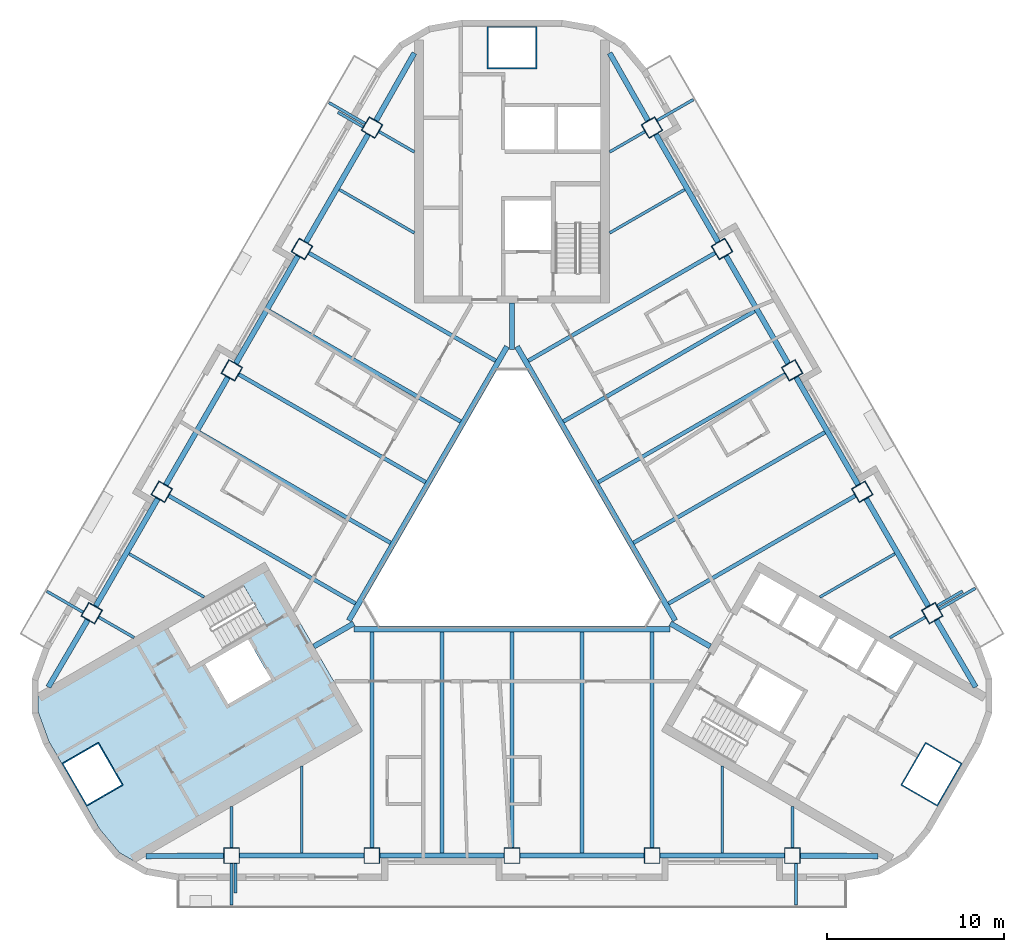
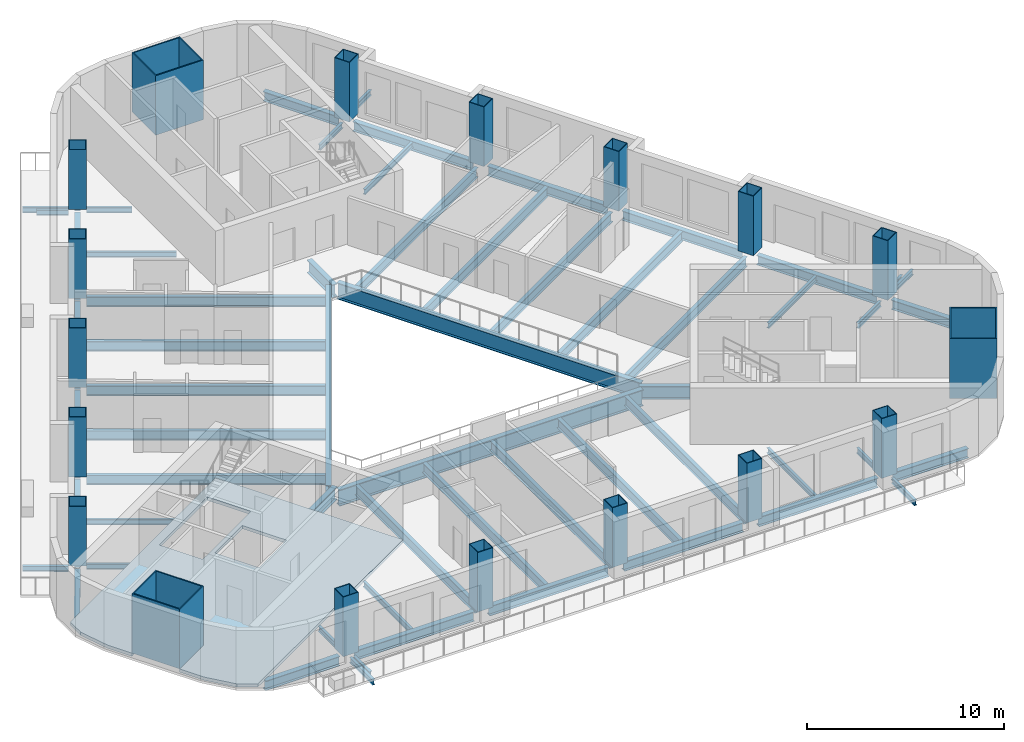
# One storey, part 1 of 13: 60 beams, 18 columns, 1 slab.
"""IFC4 building model written with IfcOpenShell, lengths in metres."""

from ifc_helpers import new_model, si_unit, direction, frame, origin, origin_2d, place, context, subcontext, project, spatial, polyline, rectangle, hollow_rectangle, i_section, outline, extrude, material, layer, layer_set, material_profile, profile_set, type_object, element, save


model = new_model("IFC4")

# Units and contexts
model_context = context("Model", 3, precision=1e-05, world=origin(), true_north=direction((0.0, 1.0)))
body_context = subcontext(model_context, "Body", "Model", "MODEL_VIEW")
ifc_project = project(units=[si_unit("LENGTHUNIT", "METRE"), si_unit("AREAUNIT", "SQUARE_METRE"), si_unit("VOLUMEUNIT", "CUBIC_METRE"), si_unit("PLANEANGLEUNIT", "RADIAN"), si_unit("MASSUNIT", "GRAM", prefix="KILO")], contexts=[model_context])

# Site, building, storey
site_placement = place(None, origin())
site = spatial("IfcSite", under=ifc_project, at=site_placement, CompositionType="ELEMENT")
building_placement = place(site_placement, origin())
building = spatial("IfcBuilding", under=site, at=building_placement, Name="Apuvela Tower Hotel", CompositionType="ELEMENT")
storey_placement = place(building_placement, frame((0.0, 0.0, 102.0)))
storey = spatial("IfcBuildingStorey", under=building, at=storey_placement, Name="L23", CompositionType="ELEMENT", Elevation=102.0)

# Columns
ifc_material_1 = material(Name="Steel S460", Category="steel")
ifc_material_profile_1 = material_profile(ifc_material_1, hollow_rectangle(XDim=2.800048828125, YDim=2.39990234375, WallThickness=0.070068359375, at=origin_2d()), Name="BOX 2800x2400x70")
ifc_material_2 = material(Name="Concrete C80/95", Category="concrete")
ifc_material_profile_2 = material_profile(ifc_material_2, rectangle(XDim=2.659912109375, YDim=2.260009765625, at=origin_2d()), Name="Concrete C80/95 infill")
ifc_profile_set_1 = profile_set([ifc_material_profile_1, ifc_material_profile_2], Name="Steel S460")
column_type_1 = type_object("IfcColumnType", Name="STR-MC mega column BOX 2800x2400x70", PredefinedType="COLUMN", material=ifc_profile_set_1)
for number, where, z_axis, x_axis, name in (
    (1, (0.0, 27.300048828125, 0.0), (0.0, 0.0, 1.0), (1.0, 0.0, 0.0), "Mega column MC2 N"),
    (2, (-23.642578125, -13.64990234375, 0.0), (0.0, 0.0, 1.0), (-0.5, 0.866025403784, 0.0), "Mega column MC2 SW"),
    (3, (23.642578125, -13.64990234375, 0.0), (0.0, 0.0, 1.0), (0.5, 0.866025403784, 0.0), "Mega column MC2 SE"),
):
    element("IfcColumn", number, at=place(storey_placement, frame(where, z_axis=z_axis, x_axis=x_axis)), inside=storey, type_object=column_type_1, Name=name, PredefinedType="COLUMN", context=body_context, shape_type="SweptSolid", body=[
        extrude(hollow_rectangle(XDim=2.800048828125, YDim=2.39990234375, WallThickness=0.070068359375, at=origin_2d()), origin(), (0.0, 0.0, 1.0), 3.699951171875),
    ])
ifc_material_profile_3 = material_profile(ifc_material_1, hollow_rectangle(XDim=0.89990234375, YDim=0.89990234375, WallThickness=0.0400390625, at=origin_2d()), Name="BOX 900x900x40")
ifc_material_profile_4 = material_profile(ifc_material_2, rectangle(XDim=0.820068359375, YDim=0.820068359375, at=origin_2d()), Name="Concrete C80/95 infill")
ifc_profile_set_2 = profile_set([ifc_material_profile_3, ifc_material_profile_4], Name="Steel S460")
column_type_2 = type_object("IfcColumnType", Name="STR-PC perimeter column BOX 900x900x40", PredefinedType="COLUMN", material=ifc_profile_set_2)
for number, where, z_axis, x_axis, name in (
    (4, (-15.800048828125, -18.22998046875, 0.0), (0.0, 0.0, 1.0), (-1.0, 0.0, 0.0), "Perimeter column C3 S1"),
    (5, (-7.89990234375, -18.22998046875, 0.0), (0.0, 0.0, 1.0), (-1.0, 0.0, 0.0), "Perimeter column C3 S2"),
    (6, (0.0, -18.22998046875, 0.0), (0.0, 0.0, 1.0), (-1.0, 0.0, 0.0), "Perimeter column C3 S3"),
    (7, (7.89990234375, -18.22998046875, 0.0), (0.0, 0.0, 1.0), (-1.0, 0.0, 0.0), "Perimeter column C3 S4"),
    (8, (15.800048828125, -18.22998046875, 0.0), (0.0, 0.0, 1.0), (-1.0, 0.0, 0.0), "Perimeter column C3 S5"),
    (9, (23.6875, -4.568115234375, 0.0), (0.0, 0.0, 1.0), (-0.5, 0.866025403784, 0.0), "Perimeter column C3 NE1"),
    (10, (19.737548828125, 2.2734375, 0.0), (0.0, 0.0, 1.0), (-0.5, 0.866025403784, 0.0), "Perimeter column C3 NE2"),
    (11, (15.78759765625, 9.114990234375, 0.0), (0.0, 0.0, 1.0), (-0.5, 0.866025403784, 0.0), "Perimeter column C3 NE3"),
    (12, (11.837646484375, 15.95654296875, 0.0), (0.0, 0.0, 1.0), (-0.5, 0.866025403784, 0.0), "Perimeter column C3 NE4"),
    (13, (7.8876953125, 22.798095703125, 0.0), (0.0, 0.0, 1.0), (-0.5, 0.866025403784, 0.0), "Perimeter column C3 NE5"),
    (14, (-7.8876953125, 22.798095703125, 0.0), (0.0, 0.0, 1.0), (0.5, 0.866025403784, 0.0), "Perimeter column C3 NW1"),
    (15, (-11.837646484375, 15.95654296875, 0.0), (0.0, 0.0, 1.0), (0.5, 0.866025403784, 0.0), "Perimeter column C3 NW2"),
    (16, (-15.78759765625, 9.114990234375, 0.0), (0.0, 0.0, 1.0), (0.5, 0.866025403784, 0.0), "Perimeter column C3 NW3"),
    (17, (-19.737548828125, 2.2734375, 0.0), (0.0, 0.0, 1.0), (0.5, 0.866025403784, 0.0), "Perimeter column C3 NW4"),
    (18, (-23.6875, -4.568115234375, 0.0), (0.0, 0.0, 1.0), (0.5, 0.866025403784, 0.0), "Perimeter column C3 NW5"),
):
    element("IfcColumn", number, at=place(storey_placement, frame(where, z_axis=z_axis, x_axis=x_axis)), inside=storey, type_object=column_type_2, Name=name, PredefinedType="COLUMN", context=body_context, shape_type="SweptSolid", body=[
        extrude(hollow_rectangle(XDim=0.89990234375, YDim=0.89990234375, WallThickness=0.0400390625, at=origin_2d()), origin(), (0.0, 0.0, 1.0), 3.699951171875),
    ])

# Beams
ifc_material_3 = material(Name="Steel S355", Category="steel")
ifc_material_profile_5 = material_profile(ifc_material_3, i_section(OverallWidth=0.159912109375, OverallDepth=0.330078125, WebThickness=0.007568359375, FlangeThickness=0.011474609375, at=origin_2d()), Name="IPE 330")
ifc_profile_set_3 = profile_set([ifc_material_profile_5], Name="Steel S355")
beam_type_1 = type_object("IfcBeamType", Name="ENV-BALCONY-BEAM-IPE330", PredefinedType="BEAM", material=ifc_profile_set_3)
beam_1_placement = place(storey_placement, frame((-15.800048828125, -18.679931640625, -0.31494140625), z_axis=(0.0, -1.0, 0.0), x_axis=(1.0, 0.0, 0.0)))
element("IfcBeam", 19, at=beam_1_placement, inside=storey, type_object=beam_type_1, Name="Balcony cantilever beam S1 L23", PredefinedType="BEAM", context=body_context, shape_type="SweptSolid", body=[
    extrude(i_section(OverallWidth=0.159912109375, OverallDepth=0.330078125, WebThickness=0.007568359375, FlangeThickness=0.011474609375, at=origin_2d()), origin(), (0.0, 0.0, 1.0), 2.35009765625),
])
beam_2_placement = place(storey_placement, frame((-15.580078125, -18.679931640625, -0.31494140625), z_axis=(0.0, -1.0, 0.0), x_axis=(1.0, 0.0, 0.0)))
element("IfcBeam", 20, at=beam_2_placement, inside=storey, type_object=beam_type_1, Name="Balcony cantilever beam S2 L23", PredefinedType="BEAM", context=body_context, shape_type="SweptSolid", body=[
    extrude(i_section(OverallWidth=0.159912109375, OverallDepth=0.330078125, WebThickness=0.007568359375, FlangeThickness=0.011474609375, at=origin_2d()), origin(), (0.0, 0.0, 1.0), 1.650146484375),
])
for number, where, z_axis, x_axis, name in (
    (21, (16.0, -18.679931640625, -0.31494140625), (0.0, -1.0, 0.0), (1.0, 0.0, 0.0), "Balcony cantilever beam S3 L23"),
    (22, (24.077392578125, -4.34326171875, -0.31494140625), (0.866016039709, 0.500016218704, 0.0), (-0.500016218704, 0.866016039709, 0.0), "Balcony cantilever beam NE1 L23"),
):
    element("IfcBeam", number, at=place(storey_placement, frame(where, z_axis=z_axis, x_axis=x_axis)), inside=storey, type_object=beam_type_1, Name=name, PredefinedType="BEAM", context=body_context, shape_type="SweptSolid", body=[
        extrude(i_section(OverallWidth=0.159912109375, OverallDepth=0.330078125, WebThickness=0.007568359375, FlangeThickness=0.011474609375, at=origin_2d()), origin(), (0.0, 0.0, 1.0), 2.35009765625),
    ])
beam_3_placement = place(storey_placement, frame((23.96728515625, -4.152587890625, -0.31494140625), z_axis=(0.866040211805, 0.499974350878, 0.0), x_axis=(-0.499974350878, 0.866040211805, 0.0)))
element("IfcBeam", 23, at=beam_3_placement, inside=storey, type_object=beam_type_1, Name="Balcony cantilever beam NE2 L23", PredefinedType="BEAM", context=body_context, shape_type="SweptSolid", body=[
    extrude(i_section(OverallWidth=0.159912109375, OverallDepth=0.330078125, WebThickness=0.007568359375, FlangeThickness=0.011474609375, at=origin_2d()), origin(), (0.0, 0.0, 1.0), 1.64990234375),
])
beam_4_placement = place(storey_placement, frame((8.177490234375, 23.1962890625, -0.31494140625), z_axis=(0.865990062348, 0.500061208168, 0.0), x_axis=(-0.500061208168, 0.865990062348, 0.0)))
element("IfcBeam", 24, at=beam_4_placement, inside=storey, type_object=beam_type_1, Name="Balcony cantilever beam NE3 L23", PredefinedType="BEAM", context=body_context, shape_type="SweptSolid", body=[
    extrude(i_section(OverallWidth=0.159912109375, OverallDepth=0.330078125, WebThickness=0.007568359375, FlangeThickness=0.011474609375, at=origin_2d()), origin(), (0.0, 0.0, 1.0), 2.349853515625),
])
beam_5_placement = place(storey_placement, frame((-8.27734375, 23.023193359375, -0.31494140625), z_axis=(-0.866016039709, 0.500016218704, 0.0), x_axis=(-0.500016218704, -0.866016039709, 0.0)))
element("IfcBeam", 25, at=beam_5_placement, inside=storey, type_object=beam_type_1, Name="Balcony cantilever beam NW1 L23", PredefinedType="BEAM", context=body_context, shape_type="SweptSolid", body=[
    extrude(i_section(OverallWidth=0.159912109375, OverallDepth=0.330078125, WebThickness=0.007568359375, FlangeThickness=0.011474609375, at=origin_2d()), origin(), (0.0, 0.0, 1.0), 2.35009765625),
])
beam_6_placement = place(storey_placement, frame((-8.387451171875, 22.832763671875, -0.31494140625), z_axis=(-0.866040211805, 0.499974350878, 0.0), x_axis=(-0.499974350878, -0.866040211805, 0.0)))
element("IfcBeam", 26, at=beam_6_placement, inside=storey, type_object=beam_type_1, Name="Balcony cantilever beam NW2 L23", PredefinedType="BEAM", context=body_context, shape_type="SweptSolid", body=[
    extrude(i_section(OverallWidth=0.159912109375, OverallDepth=0.330078125, WebThickness=0.007568359375, FlangeThickness=0.011474609375, at=origin_2d()), origin(), (0.0, 0.0, 1.0), 1.64990234375),
])
beam_7_placement = place(storey_placement, frame((-24.177490234375, -4.516357421875, -0.31494140625), z_axis=(-0.865990062348, 0.500061208168, 0.0), x_axis=(-0.500061208168, -0.865990062348, 0.0)))
element("IfcBeam", 27, at=beam_7_placement, inside=storey, type_object=beam_type_1, Name="Balcony cantilever beam NW3 L23", PredefinedType="BEAM", context=body_context, shape_type="SweptSolid", body=[
    extrude(i_section(OverallWidth=0.159912109375, OverallDepth=0.330078125, WebThickness=0.007568359375, FlangeThickness=0.011474609375, at=origin_2d()), origin(), (0.0, 0.0, 1.0), 2.349853515625),
])
ifc_material_profile_6 = material_profile(ifc_material_3, i_section(OverallWidth=0.159912109375, OverallDepth=0.330078125, WebThickness=0.007568359375, FlangeThickness=0.011474609375, at=origin_2d()), Name="IPE 330")
ifc_profile_set_4 = profile_set([ifc_material_profile_6], Name="Steel S355")
beam_type_2 = type_object("IfcBeamType", Name="STR-B floor beam IPE 330", PredefinedType="BEAM", material=ifc_profile_set_4)
beam_8_placement = place(storey_placement, frame((23.2978515625, -4.793212890625, -0.31494140625), z_axis=(-0.866000531106, -0.500043078269, 0.0), x_axis=(0.500043078269, -0.866000531106, 0.0)))
element("IfcBeam", 28, at=beam_8_placement, inside=storey, type_object=beam_type_2, Name="Floor beam B1 NE1", PredefinedType="BEAM", context=body_context, shape_type="SweptSolid", body=[
    extrude(i_section(OverallWidth=0.159912109375, OverallDepth=0.330078125, WebThickness=0.007568359375, FlangeThickness=0.011474609375, at=origin_2d()), origin(), (0.0, 0.0, 1.0), 2.306884765625),
])
for number, where, z_axis, x_axis, name in (
    (29, (21.582763671875, -1.222412109375, -0.31494140625), (-0.866015056278, -0.500017921979, 0.0), (0.500017921979, -0.866015056278, 0.0), "Floor beam B1 NE2"),
    (30, (9.732666015625, 19.302490234375, -0.31494140625), (-0.866015056278, -0.500017921979, 0.0), (0.500017921979, -0.866015056278, 0.0), "Floor beam B1 NE8"),
):
    element("IfcBeam", number, at=place(storey_placement, frame(where, z_axis=z_axis, x_axis=x_axis)), inside=storey, type_object=beam_type_2, Name=name, PredefinedType="BEAM", context=body_context, shape_type="SweptSolid", body=[
        extrude(i_section(OverallWidth=0.159912109375, OverallDepth=0.330078125, WebThickness=0.007568359375, FlangeThickness=0.011474609375, at=origin_2d()), origin(), (0.0, 0.0, 1.0), 4.887451171875),
    ])
for number, where, z_axis, x_axis, name in (
    (31, (7.497802734375, 22.5732421875, -0.31494140625), (-0.866000531106, -0.500043078269, 0.0), (0.500043078269, -0.866000531106, 0.0), "Floor beam B1 NE9"),
    (32, (-7.497802734375, 22.5732421875, -0.31494140625), (0.866000531106, -0.500043078269, 0.0), (0.500043078269, 0.866000531106, 0.0), "Floor beam B1 NW1"),
):
    element("IfcBeam", number, at=place(storey_placement, frame(where, z_axis=z_axis, x_axis=x_axis)), inside=storey, type_object=beam_type_2, Name=name, PredefinedType="BEAM", context=body_context, shape_type="SweptSolid", body=[
        extrude(i_section(OverallWidth=0.159912109375, OverallDepth=0.330078125, WebThickness=0.007568359375, FlangeThickness=0.011474609375, at=origin_2d()), origin(), (0.0, 0.0, 1.0), 2.306884765625),
    ])
for number, where, z_axis, x_axis, name in (
    (33, (-9.732666015625, 19.302490234375, -0.31494140625), (0.866015056278, -0.500017921979, 0.0), (0.500017921979, 0.866015056278, 0.0), "Floor beam B1 NW2"),
    (34, (-21.582763671875, -1.222412109375, -0.31494140625), (0.866015056278, -0.500017921979, 0.0), (0.500017921979, 0.866015056278, 0.0), "Floor beam B1 NW8"),
):
    element("IfcBeam", number, at=place(storey_placement, frame(where, z_axis=z_axis, x_axis=x_axis)), inside=storey, type_object=beam_type_2, Name=name, PredefinedType="BEAM", context=body_context, shape_type="SweptSolid", body=[
        extrude(i_section(OverallWidth=0.159912109375, OverallDepth=0.330078125, WebThickness=0.007568359375, FlangeThickness=0.011474609375, at=origin_2d()), origin(), (0.0, 0.0, 1.0), 4.887451171875),
    ])
beam_9_placement = place(storey_placement, frame((-23.2978515625, -4.793212890625, -0.31494140625), z_axis=(0.866000531106, -0.500043078269, 0.0), x_axis=(0.500043078269, 0.866000531106, 0.0)))
element("IfcBeam", 35, at=beam_9_placement, inside=storey, type_object=beam_type_2, Name="Floor beam B1 NW9", PredefinedType="BEAM", context=body_context, shape_type="SweptSolid", body=[
    extrude(i_section(OverallWidth=0.159912109375, OverallDepth=0.330078125, WebThickness=0.007568359375, FlangeThickness=0.011474609375, at=origin_2d()), origin(), (0.0, 0.0, 1.0), 2.306884765625),
])
beam_10_placement = place(storey_placement, frame((-15.800048828125, -17.780029296875, -0.31494140625), z_axis=(0.0, 1.0, 0.0), x_axis=(-1.0, 0.0, 0.0)))
element("IfcBeam", 36, at=beam_10_placement, inside=storey, type_object=beam_type_2, Name="Floor beam B1 S1", PredefinedType="BEAM", context=body_context, shape_type="SweptSolid", body=[
    extrude(i_section(OverallWidth=0.159912109375, OverallDepth=0.330078125, WebThickness=0.007568359375, FlangeThickness=0.011474609375, at=origin_2d()), origin(), (0.0, 0.0, 1.0), 2.30712890625),
])
for number, where, z_axis, x_axis, name in (
    (37, (-11.85009765625, -18.080078125, -0.31494140625), (0.0, 1.0, 0.0), (-1.0, 0.0, 0.0), "Floor beam B1 S2"),
    (38, (11.85009765625, -18.080078125, -0.31494140625), (0.0, 1.0, 0.0), (-1.0, 0.0, 0.0), "Floor beam B1 S8"),
):
    element("IfcBeam", number, at=place(storey_placement, frame(where, z_axis=z_axis, x_axis=x_axis)), inside=storey, type_object=beam_type_2, Name=name, PredefinedType="BEAM", context=body_context, shape_type="SweptSolid", body=[
        extrude(i_section(OverallWidth=0.159912109375, OverallDepth=0.330078125, WebThickness=0.007568359375, FlangeThickness=0.011474609375, at=origin_2d()), origin(), (0.0, 0.0, 1.0), 4.8876953125),
    ])
beam_11_placement = place(storey_placement, frame((15.800048828125, -17.780029296875, -0.31494140625), z_axis=(0.0, 1.0, 0.0), x_axis=(-1.0, 0.0, 0.0)))
element("IfcBeam", 39, at=beam_11_placement, inside=storey, type_object=beam_type_2, Name="Floor beam B1 S9", PredefinedType="BEAM", context=body_context, shape_type="SweptSolid", body=[
    extrude(i_section(OverallWidth=0.159912109375, OverallDepth=0.330078125, WebThickness=0.007568359375, FlangeThickness=0.011474609375, at=origin_2d()), origin(), (0.0, 0.0, 1.0), 2.30712890625),
])
ifc_material_profile_7 = material_profile(ifc_material_3, i_section(OverallWidth=0.219970703125, OverallDepth=0.60009765625, WebThickness=0.011962890625, FlangeThickness=0.01904296875, at=origin_2d()), Name="IPE 600")
ifc_profile_set_5 = profile_set([ifc_material_profile_7], Name="Steel S355")
beam_type_3 = type_object("IfcBeamType", Name="STR-B floor beam IPE 600", PredefinedType="BEAM", material=ifc_profile_set_5)
beam_12_placement = place(storey_placement, frame((19.347900390625, 2.04833984375, -0.449951171875), z_axis=(-0.866028751965, -0.499994200737, 0.0), x_axis=(0.499994200737, -0.866028751965, 0.0)))
element("IfcBeam", 40, at=beam_12_placement, inside=storey, type_object=beam_type_3, Name="Floor beam B8 NE3", PredefinedType="BEAM", context=body_context, shape_type="SweptSolid", body=[
    extrude(i_section(OverallWidth=0.219970703125, OverallDepth=0.60009765625, WebThickness=0.011962890625, FlangeThickness=0.01904296875, at=origin_2d()), origin(), (0.0, 0.0, 1.0), 12.157958984375),
])
beam_13_placement = place(storey_placement, frame((17.6328125, 5.619140625, -0.449951171875), z_axis=(-0.866027636335, -0.499996133089, 0.0), x_axis=(0.499996133089, -0.866027636335, 0.0)))
element("IfcBeam", 41, at=beam_13_placement, inside=storey, type_object=beam_type_3, Name="Floor beam B8 NE4", PredefinedType="BEAM", context=body_context, shape_type="SweptSolid", body=[
    extrude(i_section(OverallWidth=0.219970703125, OverallDepth=0.60009765625, WebThickness=0.011962890625, FlangeThickness=0.01904296875, at=origin_2d()), origin(), (0.0, 0.0, 1.0), 12.4580078125),
])
beam_14_placement = place(storey_placement, frame((15.39794921875, 8.889892578125, -0.449951171875), z_axis=(-0.866028751965, -0.499994200737, 0.0), x_axis=(0.499994200737, -0.866028751965, 0.0)))
element("IfcBeam", 42, at=beam_14_placement, inside=storey, type_object=beam_type_3, Name="Floor beam B8 NE5", PredefinedType="BEAM", context=body_context, shape_type="SweptSolid", body=[
    extrude(i_section(OverallWidth=0.219970703125, OverallDepth=0.60009765625, WebThickness=0.011962890625, FlangeThickness=0.01904296875, at=origin_2d()), origin(), (0.0, 0.0, 1.0), 12.157958984375),
])
beam_15_placement = place(storey_placement, frame((13.6826171875, 12.460693359375, -0.449951171875), z_axis=(-0.866022737053, -0.500004618886, 0.0), x_axis=(0.500004618886, -0.866022737053, 0.0)))
element("IfcBeam", 43, at=beam_15_placement, inside=storey, type_object=beam_type_3, Name="Floor beam B8 NE6", PredefinedType="BEAM", context=body_context, shape_type="SweptSolid", body=[
    extrude(i_section(OverallWidth=0.219970703125, OverallDepth=0.60009765625, WebThickness=0.011962890625, FlangeThickness=0.01904296875, at=origin_2d()), origin(), (0.0, 0.0, 1.0), 12.4580078125),
])
for number, where, z_axis, x_axis, name in (
    (44, (11.447998046875, 15.731689453125, -0.449951171875), (-0.866025076934, -0.500000566121, 0.0), (0.500000566121, -0.866025076934, 0.0), "Floor beam B8 NE7"),
    (45, (-11.447998046875, 15.731689453125, -0.449951171875), (0.866025076934, -0.500000566121, 0.0), (0.500000566121, 0.866025076934, 0.0), "Floor beam B8 NW3"),
):
    element("IfcBeam", number, at=place(storey_placement, frame(where, z_axis=z_axis, x_axis=x_axis)), inside=storey, type_object=beam_type_3, Name=name, PredefinedType="BEAM", context=body_context, shape_type="SweptSolid", body=[
        extrude(i_section(OverallWidth=0.219970703125, OverallDepth=0.60009765625, WebThickness=0.011962890625, FlangeThickness=0.01904296875, at=origin_2d()), origin(), (0.0, 0.0, 1.0), 12.158203125),
    ])
beam_16_placement = place(storey_placement, frame((-13.6826171875, 12.460693359375, -0.449951171875), z_axis=(0.866022737053, -0.500004618886, 0.0), x_axis=(0.500004618886, 0.866022737053, 0.0)))
element("IfcBeam", 46, at=beam_16_placement, inside=storey, type_object=beam_type_3, Name="Floor beam B8 NW4", PredefinedType="BEAM", context=body_context, shape_type="SweptSolid", body=[
    extrude(i_section(OverallWidth=0.219970703125, OverallDepth=0.60009765625, WebThickness=0.011962890625, FlangeThickness=0.01904296875, at=origin_2d()), origin(), (0.0, 0.0, 1.0), 12.4580078125),
])
beam_17_placement = place(storey_placement, frame((-15.39794921875, 8.889892578125, -0.449951171875), z_axis=(0.866028751965, -0.499994200737, 0.0), x_axis=(0.499994200737, 0.866028751965, 0.0)))
element("IfcBeam", 47, at=beam_17_placement, inside=storey, type_object=beam_type_3, Name="Floor beam B8 NW5", PredefinedType="BEAM", context=body_context, shape_type="SweptSolid", body=[
    extrude(i_section(OverallWidth=0.219970703125, OverallDepth=0.60009765625, WebThickness=0.011962890625, FlangeThickness=0.01904296875, at=origin_2d()), origin(), (0.0, 0.0, 1.0), 12.157958984375),
])
beam_18_placement = place(storey_placement, frame((-17.6328125, 5.619140625, -0.449951171875), z_axis=(0.866027636335, -0.499996133089, 0.0), x_axis=(0.499996133089, 0.866027636335, 0.0)))
element("IfcBeam", 48, at=beam_18_placement, inside=storey, type_object=beam_type_3, Name="Floor beam B8 NW6", PredefinedType="BEAM", context=body_context, shape_type="SweptSolid", body=[
    extrude(i_section(OverallWidth=0.219970703125, OverallDepth=0.60009765625, WebThickness=0.011962890625, FlangeThickness=0.01904296875, at=origin_2d()), origin(), (0.0, 0.0, 1.0), 12.4580078125),
])
for number, where, z_axis, x_axis, name in (
    (49, (-19.347900390625, 2.04833984375, -0.449951171875), (0.866028751965, -0.499994200737, 0.0), (0.499994200737, 0.866028751965, 0.0), "Floor beam B8 NW7"),
    (50, (-7.89990234375, -17.780029296875, -0.449951171875), (0.0, 1.0, 0.0), (-1.0, 0.0, 0.0), "Floor beam B8 S3"),
):
    element("IfcBeam", number, at=place(storey_placement, frame(where, z_axis=z_axis, x_axis=x_axis)), inside=storey, type_object=beam_type_3, Name=name, PredefinedType="BEAM", context=body_context, shape_type="SweptSolid", body=[
        extrude(i_section(OverallWidth=0.219970703125, OverallDepth=0.60009765625, WebThickness=0.011962890625, FlangeThickness=0.01904296875, at=origin_2d()), origin(), (0.0, 0.0, 1.0), 12.157958984375),
    ])
beam_19_placement = place(storey_placement, frame((-3.949951171875, -18.080078125, -0.449951171875), z_axis=(0.0, 1.0, 0.0), x_axis=(-1.0, 0.0, 0.0)))
element("IfcBeam", 51, at=beam_19_placement, inside=storey, type_object=beam_type_3, Name="Floor beam B8 S4", PredefinedType="BEAM", context=body_context, shape_type="SweptSolid", body=[
    extrude(i_section(OverallWidth=0.219970703125, OverallDepth=0.60009765625, WebThickness=0.011962890625, FlangeThickness=0.01904296875, at=origin_2d()), origin(), (0.0, 0.0, 1.0), 12.4580078125),
])
beam_20_placement = place(storey_placement, frame((0.0, -17.780029296875, -0.449951171875), z_axis=(0.0, 1.0, 0.0), x_axis=(-1.0, 0.0, 0.0)))
element("IfcBeam", 52, at=beam_20_placement, inside=storey, type_object=beam_type_3, Name="Floor beam B8 S5", PredefinedType="BEAM", context=body_context, shape_type="SweptSolid", body=[
    extrude(i_section(OverallWidth=0.219970703125, OverallDepth=0.60009765625, WebThickness=0.011962890625, FlangeThickness=0.01904296875, at=origin_2d()), origin(), (0.0, 0.0, 1.0), 12.157958984375),
])
beam_21_placement = place(storey_placement, frame((3.949951171875, -18.080078125, -0.449951171875), z_axis=(0.0, 1.0, 0.0), x_axis=(-1.0, 0.0, 0.0)))
element("IfcBeam", 53, at=beam_21_placement, inside=storey, type_object=beam_type_3, Name="Floor beam B8 S6", PredefinedType="BEAM", context=body_context, shape_type="SweptSolid", body=[
    extrude(i_section(OverallWidth=0.219970703125, OverallDepth=0.60009765625, WebThickness=0.011962890625, FlangeThickness=0.01904296875, at=origin_2d()), origin(), (0.0, 0.0, 1.0), 12.4580078125),
])
beam_22_placement = place(storey_placement, frame((7.89990234375, -17.780029296875, -0.449951171875), z_axis=(0.0, 1.0, 0.0), x_axis=(-1.0, 0.0, 0.0)))
element("IfcBeam", 54, at=beam_22_placement, inside=storey, type_object=beam_type_3, Name="Floor beam B8 S7", PredefinedType="BEAM", context=body_context, shape_type="SweptSolid", body=[
    extrude(i_section(OverallWidth=0.219970703125, OverallDepth=0.60009765625, WebThickness=0.011962890625, FlangeThickness=0.01904296875, at=origin_2d()), origin(), (0.0, 0.0, 1.0), 12.157958984375),
])
ifc_material_profile_8 = material_profile(ifc_material_3, i_section(OverallWidth=0.302001953125, OverallDepth=1.008056640625, WebThickness=0.02099609375, FlangeThickness=0.0400390625, at=origin_2d()), Name="HE 1000 M")
ifc_profile_set_6 = profile_set([ifc_material_profile_8], Name="Steel S355")
beam_type_4 = type_object("IfcBeamType", Name="STR-G atrium ring girder HE 1000 M", PredefinedType="BEAM", material=ifc_profile_set_6)
for number, where, z_axis, x_axis, name in (
    (55, (-0.28076171875, 10.455810546875, -0.654052734375), (-0.500000611842, -0.866025050537, 0.0), (0.866025050537, -0.500000611842, 0.0), "Atrium ring girder G1 N-SW"),
    (56, (-8.91455078125, -5.470947265625, -0.654052734375), (1.0, 0.0, 0.0), (0.0, 1.0, 0.0), "Atrium ring girder G1 SW-SE"),
    (57, (9.1953125, -4.984619140625, -0.654052734375), (-0.500000611842, 0.866025050537, 0.0), (-0.866025050537, -0.500000611842, 0.0), "Atrium ring girder G1 SE-N"),
):
    element("IfcBeam", number, at=place(storey_placement, frame(where, z_axis=z_axis, x_axis=x_axis)), inside=storey, type_object=beam_type_4, Name=name, PredefinedType="BEAM", context=body_context, shape_type="SweptSolid", body=[
        extrude(i_section(OverallWidth=0.302001953125, OverallDepth=1.008056640625, WebThickness=0.02099609375, FlangeThickness=0.0400390625, at=origin_2d()), origin(), (0.0, 0.0, 1.0), 17.8291015625),
    ])
ifc_material_profile_9 = material_profile(ifc_material_3, i_section(OverallWidth=0.300048828125, OverallDepth=0.800048828125, WebThickness=0.017578125, FlangeThickness=0.032958984375, at=origin_2d()), Name="HE 800 B")
ifc_profile_set_7 = profile_set([ifc_material_profile_9], Name="Steel S355")
beam_type_5 = type_object("IfcBeamType", Name="STR-GT core tie beam HE 800 B", PredefinedType="BEAM", material=ifc_profile_set_7)
for number, where, z_axis, x_axis, name in (
    (58, (0.0, 12.89990234375, -0.550048828125), (0.0, -1.0, 0.0), (1.0, 0.0, 0.0), "Core tie beam GT1 N"),
    (59, (-11.171630859375, -6.449951171875, -0.550048828125), (0.865997922154, 0.500047596559, 0.0), (-0.500047596559, 0.865997922154, 0.0), "Core tie beam GT1 SW"),
    (60, (11.171630859375, -6.449951171875, -0.550048828125), (-0.865997922154, 0.500047596559, 0.0), (-0.500047596559, -0.865997922154, 0.0), "Core tie beam GT1 SE"),
):
    element("IfcBeam", number, at=place(storey_placement, frame(where, z_axis=z_axis, x_axis=x_axis)), inside=storey, type_object=beam_type_5, Name=name, PredefinedType="BEAM", context=body_context, shape_type="SweptSolid", body=[
        extrude(i_section(OverallWidth=0.300048828125, OverallDepth=0.800048828125, WebThickness=0.017578125, FlangeThickness=0.032958984375, at=origin_2d()), origin(), (0.0, 0.0, 1.0), 2.599853515625),
    ])
ifc_material_profile_10 = material_profile(ifc_material_3, i_section(OverallWidth=0.300048828125, OverallDepth=0.590087890625, WebThickness=0.012939453125, FlangeThickness=0.02490234375, at=origin_2d()), Name="HE 600 A")
ifc_profile_set_8 = profile_set([ifc_material_profile_10], Name="Steel S355")
beam_type_6 = type_object("IfcBeamType", Name="STR-SB spandrel beam HE 600 A", PredefinedType="SPANDREL", material=ifc_profile_set_8)
for number, where, z_axis, x_axis, name in (
    (61, (-15.35009765625, -18.22998046875, -0.445068359375), (1.0, 0.0, 0.0), (0.0, 1.0, 0.0), "Spandrel beam SB2 S1"),
    (62, (-7.449951171875, -18.22998046875, -0.445068359375), (1.0, 0.0, 0.0), (0.0, 1.0, 0.0), "Spandrel beam SB2 S2"),
    (63, (0.449951171875, -18.22998046875, -0.445068359375), (1.0, 0.0, 0.0), (0.0, 1.0, 0.0), "Spandrel beam SB2 S3"),
    (64, (8.35009765625, -18.22998046875, -0.445068359375), (1.0, 0.0, 0.0), (0.0, 1.0, 0.0), "Spandrel beam SB2 S4"),
    (65, (23.462646484375, -4.178466796875, -0.445068359375), (-0.499995173006, 0.866028190633, 0.0), (-0.866028190633, -0.499995173006, 0.0), "Spandrel beam SB2 NE1"),
    (66, (19.5126953125, 2.6630859375, -0.445068359375), (-0.499995173006, 0.866028190633, 0.0), (-0.866028190633, -0.499995173006, 0.0), "Spandrel beam SB2 NE2"),
    (67, (15.5625, 9.504638671875, -0.445068359375), (-0.499995173006, 0.866028190633, 0.0), (-0.866028190633, -0.499995173006, 0.0), "Spandrel beam SB2 NE3"),
    (68, (11.612548828125, 16.34619140625, -0.445068359375), (-0.499995173006, 0.866028190633, 0.0), (-0.866028190633, -0.499995173006, 0.0), "Spandrel beam SB2 NE4"),
    (69, (-8.112548828125, 22.408447265625, -0.445068359375), (-0.499995173006, -0.866028190633, 0.0), (0.866028190633, -0.499995173006, 0.0), "Spandrel beam SB2 NW1"),
    (70, (-12.0625, 15.56689453125, -0.445068359375), (-0.499995173006, -0.866028190633, 0.0), (0.866028190633, -0.499995173006, 0.0), "Spandrel beam SB2 NW2"),
    (71, (-16.0126953125, 8.725341796875, -0.445068359375), (-0.499995173006, -0.866028190633, 0.0), (0.866028190633, -0.499995173006, 0.0), "Spandrel beam SB2 NW3"),
    (72, (-19.962646484375, 1.8837890625, -0.445068359375), (-0.499995173006, -0.866028190633, 0.0), (0.866028190633, -0.499995173006, 0.0), "Spandrel beam SB2 NW4"),
):
    element("IfcBeam", number, at=place(storey_placement, frame(where, z_axis=z_axis, x_axis=x_axis)), inside=storey, type_object=beam_type_6, Name=name, PredefinedType="SPANDREL", context=body_context, shape_type="SweptSolid", body=[
        extrude(i_section(OverallWidth=0.300048828125, OverallDepth=0.590087890625, WebThickness=0.012939453125, FlangeThickness=0.02490234375, at=origin_2d()), origin(), (0.0, 0.0, 1.0), 7.0),
    ])
for number, where, z_axis, x_axis, name in (
    (73, (-16.25, -18.233154296875, -0.445068359375), (-0.999976528586, -0.006851443461, 0.0), (0.006851443461, -0.999976528586, 0.0), "Spandrel beam SB2 S1-SW"),
    (74, (16.25, -18.233154296875, -0.445068359375), (0.999976528586, -0.006851443461, 0.0), (0.006851443461, 0.999976528586, 0.0), "Spandrel beam SB2 S5-SE"),
    (75, (23.915283203125, -4.956298828125, -0.445068359375), (0.505951068275, -0.862562181244, 0.0), (0.862562181244, 0.505951068275, 0.0), "Spandrel beam SB2 NE1-SE"),
    (76, (7.665283203125, 23.189453125, -0.445068359375), (-0.494043860968, 0.869436980718, 0.0), (-0.869436980718, -0.494043860968, 0.0), "Spandrel beam SB2 NE5-N"),
    (77, (-7.665283203125, 23.189453125, -0.445068359375), (0.494043860968, 0.869436980718, 0.0), (-0.869436980718, 0.494043860968, 0.0), "Spandrel beam SB2 NW1-N"),
    (78, (-23.915283203125, -4.956298828125, -0.445068359375), (-0.505951068275, -0.862562181244, 0.0), (0.862562181244, -0.505951068275, 0.0), "Spandrel beam SB2 NW5-SW"),
):
    element("IfcBeam", number, at=place(storey_placement, frame(where, z_axis=z_axis, x_axis=x_axis)), inside=storey, type_object=beam_type_6, Name=name, PredefinedType="SPANDREL", context=body_context, shape_type="SweptSolid", body=[
        extrude(i_section(OverallWidth=0.300048828125, OverallDepth=0.590087890625, WebThickness=0.012939453125, FlangeThickness=0.02490234375, at=origin_2d()), origin(), (0.0, 0.0, 1.0), 4.3828125),
    ])

# Slab
ifc_material_4 = material(Name="Concrete C50/60", Category="concrete")
ifc_layer = layer(ifc_material_4, 0.199951171875)
ifc_layer_set = layer_set([ifc_layer], Name="COR-FLOOR-200")
slab_type = type_object("IfcSlabType", Name="COR-FLOOR-200", PredefinedType="FLOOR", material=ifc_layer_set)
slab_placement = place(storey_placement, frame((0.0, 0.0, -0.199951171875)))
element("IfcSlab", 79, at=slab_placement, inside=storey, type_object=slab_type, Name="Core floor SW", PredefinedType="FLOOR", context=body_context, shape_type="SweptSolid", body=[
    extrude(outline(polyline([(-26.711181640625, -9.07080078125), (-26.711181640625, -10.123291015625), (-26.109375, -11.77734375), (-25.381591796875, -13.03759765625), (-23.30322265625, -11.837646484375), (-21.9033203125, -14.262451171875), (-23.981689453125, -15.46240234375), (-23.254150390625, -16.72265625), (-22.122802734375, -18.071044921875), (-21.211181640625, -18.59716796875), (-8.421630859375, -11.213134765625), (-13.921630859375, -1.68701171875), (-26.711181640625, -9.07080078125)]), holes=[polyline([(-13.874267578125, -5.18115234375), (-18.112548828125, -7.628173828125), (-19.387451171875, -5.419921875), (-15.149169921875, -2.972900390625), (-13.874267578125, -5.18115234375)]), polyline([(-13.56982421875, -8.29638671875), (-15.99462890625, -9.6962890625), (-17.294677734375, -7.444580078125), (-14.869873046875, -6.044677734375), (-13.56982421875, -8.29638671875)])]), origin(), (0.0, 0.0, 1.0), 0.199951171875),
])

save(model, "model.ifc")
